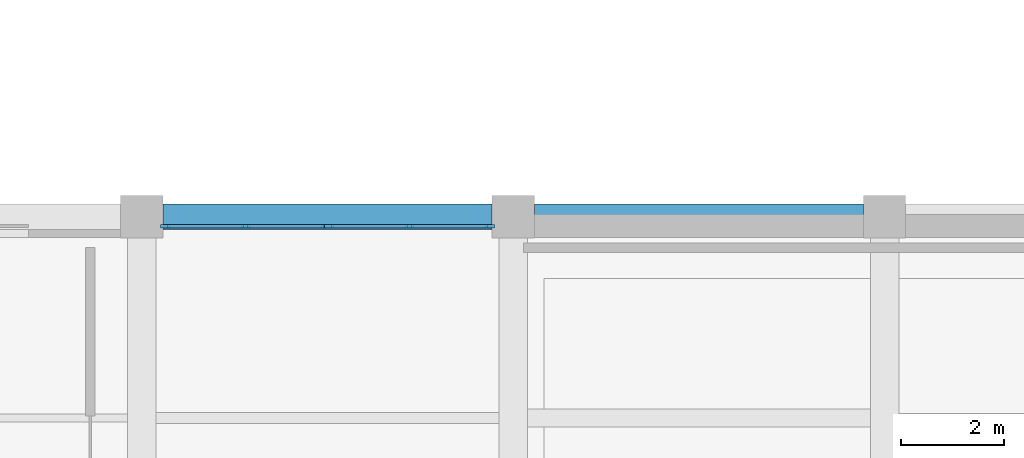
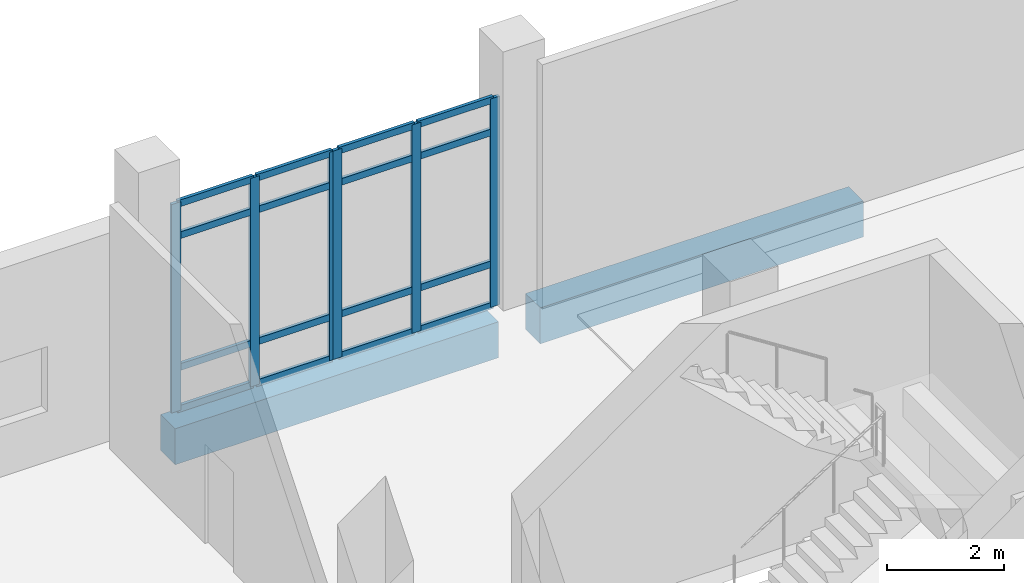
# One storey, part 21 of 79: 22 members, 2 beams, 2 elements without a shape of their own.
"""IFC4 building model written with IfcOpenShell, lengths in metres."""

from ifc_helpers import new_model, si_unit, direction, frame, origin, origin_2d, place, context, subcontext, project, spatial, rectangle, extrude, material, layer, layer_set, material_profile, profile_set, type_object, element, aggregate, save


model = new_model("IFC4")

# Units and contexts
model_context = context("Model", 3, precision=1e-05, world=origin(), true_north=direction((0.0, 1.0)))
body_context = subcontext(model_context, "Body", "Model", "MODEL_VIEW")
ifc_project = project(units=[si_unit("LENGTHUNIT", "METRE"), si_unit("AREAUNIT", "SQUARE_METRE"), si_unit("VOLUMEUNIT", "CUBIC_METRE"), si_unit("PLANEANGLEUNIT", "RADIAN"), si_unit("MASSUNIT", "GRAM", prefix="KILO")], contexts=[model_context])

# Site, building, storey
site_placement = place(None, origin())
site = spatial("IfcSite", under=ifc_project, at=site_placement, CompositionType="ELEMENT")
building_placement = place(site_placement, origin())
building = spatial("IfcBuilding", under=site, at=building_placement, Name="Kelarvand Opera House", CompositionType="ELEMENT")
storey_placement = place(building_placement, origin())
storey = spatial("IfcBuildingStorey", under=building, at=storey_placement, Name="L00", CompositionType="ELEMENT", Elevation=0.0)

# Curtain wall, members
ifc_material_1 = material(Name="Thermally broken aluminium and low-E glazing", Category="aluminium")
ifc_layer = layer(ifc_material_1, 0.179931640625, Name="Thermally broken aluminium and low-E glazing", Category="aluminium")
ifc_layer_set = layer_set([ifc_layer], Name="Thermally broken aluminium and low-E glazing")
curtain_wall_type = type_object("IfcCurtainWallType", Name="Unitised Low-E Curtain Wall 3176x4350 Mod 1350 CWF-09", PredefinedType="USERDEFINED", material=ifc_layer_set)
curtain_wall_1_placement = place(storey_placement, origin())
curtain_wall_1 = element("IfcCurtainWall", 1, at=curtain_wall_1_placement, inside=storey, type_object=curtain_wall_type, Name="V2 L00 Curtain Wall CWF-09 (27)", ObjectType="UNITISED CURTAIN WALL", PredefinedType="USERDEFINED")
ifc_material_2 = material(Name="Thermally broken anodised aluminium", Category="aluminium")
ifc_material_profile_1 = material_profile(ifc_material_2, rectangle(XDim=0.06494140625, YDim=0.179931640625, at=origin_2d()), Name="ALU MULLION 65x180", Category="aluminium")
ifc_profile_set_1 = profile_set([ifc_material_profile_1], Name="Thermally broken anodised aluminium")
member_type_1 = type_object("IfcMemberType", Name="Curtain Wall Mullion 65x180 Aluminium", PredefinedType="MULLION", material=ifc_profile_set_1)
member_1_placement = place(storey_placement, frame((59.652587890625, 86.02001953125, 0.0), z_axis=(0.0, 0.0, 1.0), x_axis=(0.0, 1.0, 0.0)))
member_1 = element("IfcMember", 2, at=member_1_placement, type_object=member_type_1, Name="CWF-09 mullion 1", PredefinedType="MULLION", context=body_context, shape_type="SweptSolid", body=[
    extrude(rectangle(XDim=0.06494140625, YDim=0.179931640625, at=origin_2d()), origin(), (0.0, 0.0, 1.0), 4.35009765625),
])
member_2_placement = place(storey_placement, frame((61.2080078125, 86.02001953125, 0.0), z_axis=(0.0, 0.0, 1.0), x_axis=(0.0, 1.0, 0.0)))
member_2 = element("IfcMember", 3, at=member_2_placement, type_object=member_type_1, Name="CWF-09 mullion 2", PredefinedType="MULLION", context=body_context, shape_type="SweptSolid", body=[
    extrude(rectangle(XDim=0.06494140625, YDim=0.179931640625, at=origin_2d()), origin(), (0.0, 0.0, 1.0), 4.35009765625),
])
member_3_placement = place(storey_placement, frame((62.763427734375, 86.02001953125, 0.0), z_axis=(0.0, 0.0, 1.0), x_axis=(0.0, 1.0, 0.0)))
member_3 = element("IfcMember", 4, at=member_3_placement, type_object=member_type_1, Name="CWF-09 mullion 3", PredefinedType="MULLION", context=body_context, shape_type="SweptSolid", body=[
    extrude(rectangle(XDim=0.06494140625, YDim=0.179931640625, at=origin_2d()), origin(), (0.0, 0.0, 1.0), 4.35009765625),
])

curtain_wall_2_placement = place(storey_placement, origin())
curtain_wall_2 = element("IfcCurtainWall", 5, at=curtain_wall_2_placement, inside=storey, type_object=curtain_wall_type, Name="V2 L00 Curtain Wall CWF-09 (28)", ObjectType="UNITISED CURTAIN WALL", PredefinedType="USERDEFINED")
member_4_placement = place(storey_placement, frame((62.83251953125, 86.02001953125, 0.0), z_axis=(0.0, 0.0, 1.0), x_axis=(0.0, 1.0, 0.0)))
member_4 = element("IfcMember", 6, at=member_4_placement, type_object=member_type_1, Name="CWF-09 mullion 1", PredefinedType="MULLION", context=body_context, shape_type="SweptSolid", body=[
    extrude(rectangle(XDim=0.06494140625, YDim=0.179931640625, at=origin_2d()), origin(), (0.0, 0.0, 1.0), 4.35009765625),
])
member_5_placement = place(storey_placement, frame((64.389892578125, 86.02001953125, 0.0), z_axis=(0.0, 0.0, 1.0), x_axis=(0.0, 1.0, 0.0)))
member_5 = element("IfcMember", 7, at=member_5_placement, type_object=member_type_1, Name="CWF-09 mullion 2", PredefinedType="MULLION", context=body_context, shape_type="SweptSolid", body=[
    extrude(rectangle(XDim=0.06494140625, YDim=0.179931640625, at=origin_2d()), origin(), (0.0, 0.0, 1.0), 4.35009765625),
])
member_6_placement = place(storey_placement, frame((65.947509765625, 86.02001953125, 0.0), z_axis=(0.0, 0.0, 1.0), x_axis=(0.0, 1.0, 0.0)))
member_6 = element("IfcMember", 8, at=member_6_placement, type_object=member_type_1, Name="CWF-09 mullion 3", PredefinedType="MULLION", context=body_context, shape_type="SweptSolid", body=[
    extrude(rectangle(XDim=0.06494140625, YDim=0.179931640625, at=origin_2d()), origin(), (0.0, 0.0, 1.0), 4.35009765625),
])

# Member
ifc_material_profile_2 = material_profile(ifc_material_2, rectangle(XDim=0.06494140625, YDim=0.139892578125, at=origin_2d()), Name="ALU TRANSOM 65x140", Category="aluminium")
ifc_profile_set_2 = profile_set([ifc_material_profile_2], Name="Thermally broken anodised aluminium")
member_type_2 = type_object("IfcMemberType", Name="Curtain Wall Transom 65x140 Aluminium", PredefinedType="USERDEFINED", material=ifc_profile_set_2)
member_7_placement = place(storey_placement, frame((59.68505859375, 86.02001953125, 0.032470703125), z_axis=(1.0, 0.0, 0.0), x_axis=(0.0, 1.0, 0.0)))
member_7 = element("IfcMember", 9, at=member_7_placement, type_object=member_type_2, Name="CWF-09 transom 1.1", ObjectType="TRANSOM", PredefinedType="USERDEFINED", context=body_context, shape_type="SweptSolid", body=[
    extrude(rectangle(XDim=0.06494140625, YDim=0.139892578125, at=origin_2d()), origin(), (0.0, 0.0, 1.0), 1.490478515625),
])

member_8_placement = place(storey_placement, frame((59.68505859375, 86.02001953125, 0.89990234375), z_axis=(1.0, 0.0, 0.0), x_axis=(0.0, 1.0, 0.0)))
member_8 = element("IfcMember", 10, at=member_8_placement, type_object=member_type_2, Name="CWF-09 transom 1.2", ObjectType="TRANSOM", PredefinedType="USERDEFINED", context=body_context, shape_type="SweptSolid", body=[
    extrude(rectangle(XDim=0.06494140625, YDim=0.139892578125, at=origin_2d()), origin(), (0.0, 0.0, 1.0), 1.490478515625),
])

member_9_placement = place(storey_placement, frame((59.68505859375, 86.02001953125, 3.64990234375), z_axis=(1.0, 0.0, 0.0), x_axis=(0.0, 1.0, 0.0)))
member_9 = element("IfcMember", 11, at=member_9_placement, type_object=member_type_2, Name="CWF-09 transom 1.3", ObjectType="TRANSOM", PredefinedType="USERDEFINED", context=body_context, shape_type="SweptSolid", body=[
    extrude(rectangle(XDim=0.06494140625, YDim=0.139892578125, at=origin_2d()), origin(), (0.0, 0.0, 1.0), 1.490478515625),
])

member_10_placement = place(storey_placement, frame((59.68505859375, 86.02001953125, 4.3173828125), z_axis=(1.0, 0.0, 0.0), x_axis=(0.0, 1.0, 0.0)))
member_10 = element("IfcMember", 12, at=member_10_placement, type_object=member_type_2, Name="CWF-09 transom 1.4", ObjectType="TRANSOM", PredefinedType="USERDEFINED", context=body_context, shape_type="SweptSolid", body=[
    extrude(rectangle(XDim=0.06494140625, YDim=0.139892578125, at=origin_2d()), origin(), (0.0, 0.0, 1.0), 1.490478515625),
])

member_11_placement = place(storey_placement, frame((61.240478515625, 86.02001953125, 0.032470703125), z_axis=(1.0, 0.0, 0.0), x_axis=(0.0, 1.0, 0.0)))
member_11 = element("IfcMember", 13, at=member_11_placement, type_object=member_type_2, Name="CWF-09 transom 2.1", ObjectType="TRANSOM", PredefinedType="USERDEFINED", context=body_context, shape_type="SweptSolid", body=[
    extrude(rectangle(XDim=0.06494140625, YDim=0.139892578125, at=origin_2d()), origin(), (0.0, 0.0, 1.0), 1.490478515625),
])

member_12_placement = place(storey_placement, frame((61.240478515625, 86.02001953125, 0.89990234375), z_axis=(1.0, 0.0, 0.0), x_axis=(0.0, 1.0, 0.0)))
member_12 = element("IfcMember", 14, at=member_12_placement, type_object=member_type_2, Name="CWF-09 transom 2.2", ObjectType="TRANSOM", PredefinedType="USERDEFINED", context=body_context, shape_type="SweptSolid", body=[
    extrude(rectangle(XDim=0.06494140625, YDim=0.139892578125, at=origin_2d()), origin(), (0.0, 0.0, 1.0), 1.490478515625),
])

member_13_placement = place(storey_placement, frame((61.240478515625, 86.02001953125, 3.64990234375), z_axis=(1.0, 0.0, 0.0), x_axis=(0.0, 1.0, 0.0)))
member_13 = element("IfcMember", 15, at=member_13_placement, type_object=member_type_2, Name="CWF-09 transom 2.3", ObjectType="TRANSOM", PredefinedType="USERDEFINED", context=body_context, shape_type="SweptSolid", body=[
    extrude(rectangle(XDim=0.06494140625, YDim=0.139892578125, at=origin_2d()), origin(), (0.0, 0.0, 1.0), 1.490478515625),
])

member_14_placement = place(storey_placement, frame((61.240478515625, 86.02001953125, 4.3173828125), z_axis=(1.0, 0.0, 0.0), x_axis=(0.0, 1.0, 0.0)))
member_14 = element("IfcMember", 16, at=member_14_placement, type_object=member_type_2, Name="CWF-09 transom 2.4", ObjectType="TRANSOM", PredefinedType="USERDEFINED", context=body_context, shape_type="SweptSolid", body=[
    extrude(rectangle(XDim=0.06494140625, YDim=0.139892578125, at=origin_2d()), origin(), (0.0, 0.0, 1.0), 1.490478515625),
])

aggregate(curtain_wall_1, [member_1, member_2, member_3, member_7, member_8, member_9, member_10, member_11, member_12, member_13, member_14])

member_15_placement = place(storey_placement, frame((62.864990234375, 86.02001953125, 0.032470703125), z_axis=(1.0, 0.0, 0.0), x_axis=(0.0, 1.0, 0.0)))
member_15 = element("IfcMember", 17, at=member_15_placement, type_object=member_type_2, Name="CWF-09 transom 1.1", ObjectType="TRANSOM", PredefinedType="USERDEFINED", context=body_context, shape_type="SweptSolid", body=[
    extrude(rectangle(XDim=0.06494140625, YDim=0.139892578125, at=origin_2d()), origin(), (0.0, 0.0, 1.0), 1.492431640625),
])

member_16_placement = place(storey_placement, frame((62.864990234375, 86.02001953125, 0.89990234375), z_axis=(1.0, 0.0, 0.0), x_axis=(0.0, 1.0, 0.0)))
member_16 = element("IfcMember", 18, at=member_16_placement, type_object=member_type_2, Name="CWF-09 transom 1.2", ObjectType="TRANSOM", PredefinedType="USERDEFINED", context=body_context, shape_type="SweptSolid", body=[
    extrude(rectangle(XDim=0.06494140625, YDim=0.139892578125, at=origin_2d()), origin(), (0.0, 0.0, 1.0), 1.492431640625),
])

member_17_placement = place(storey_placement, frame((62.864990234375, 86.02001953125, 3.64990234375), z_axis=(1.0, 0.0, 0.0), x_axis=(0.0, 1.0, 0.0)))
member_17 = element("IfcMember", 19, at=member_17_placement, type_object=member_type_2, Name="CWF-09 transom 1.3", ObjectType="TRANSOM", PredefinedType="USERDEFINED", context=body_context, shape_type="SweptSolid", body=[
    extrude(rectangle(XDim=0.06494140625, YDim=0.139892578125, at=origin_2d()), origin(), (0.0, 0.0, 1.0), 1.492431640625),
])

member_18_placement = place(storey_placement, frame((62.864990234375, 86.02001953125, 4.3173828125), z_axis=(1.0, 0.0, 0.0), x_axis=(0.0, 1.0, 0.0)))
member_18 = element("IfcMember", 20, at=member_18_placement, type_object=member_type_2, Name="CWF-09 transom 1.4", ObjectType="TRANSOM", PredefinedType="USERDEFINED", context=body_context, shape_type="SweptSolid", body=[
    extrude(rectangle(XDim=0.06494140625, YDim=0.139892578125, at=origin_2d()), origin(), (0.0, 0.0, 1.0), 1.492431640625),
])

member_19_placement = place(storey_placement, frame((64.422607421875, 86.02001953125, 0.032470703125), z_axis=(1.0, 0.0, 0.0), x_axis=(0.0, 1.0, 0.0)))
member_19 = element("IfcMember", 21, at=member_19_placement, type_object=member_type_2, Name="CWF-09 transom 2.1", ObjectType="TRANSOM", PredefinedType="USERDEFINED", context=body_context, shape_type="SweptSolid", body=[
    extrude(rectangle(XDim=0.06494140625, YDim=0.139892578125, at=origin_2d()), origin(), (0.0, 0.0, 1.0), 1.492431640625),
])

member_20_placement = place(storey_placement, frame((64.422607421875, 86.02001953125, 0.89990234375), z_axis=(1.0, 0.0, 0.0), x_axis=(0.0, 1.0, 0.0)))
member_20 = element("IfcMember", 22, at=member_20_placement, type_object=member_type_2, Name="CWF-09 transom 2.2", ObjectType="TRANSOM", PredefinedType="USERDEFINED", context=body_context, shape_type="SweptSolid", body=[
    extrude(rectangle(XDim=0.06494140625, YDim=0.139892578125, at=origin_2d()), origin(), (0.0, 0.0, 1.0), 1.492431640625),
])

member_21_placement = place(storey_placement, frame((64.422607421875, 86.02001953125, 3.64990234375), z_axis=(1.0, 0.0, 0.0), x_axis=(0.0, 1.0, 0.0)))
member_21 = element("IfcMember", 23, at=member_21_placement, type_object=member_type_2, Name="CWF-09 transom 2.3", ObjectType="TRANSOM", PredefinedType="USERDEFINED", context=body_context, shape_type="SweptSolid", body=[
    extrude(rectangle(XDim=0.06494140625, YDim=0.139892578125, at=origin_2d()), origin(), (0.0, 0.0, 1.0), 1.492431640625),
])

member_22_placement = place(storey_placement, frame((64.422607421875, 86.02001953125, 4.3173828125), z_axis=(1.0, 0.0, 0.0), x_axis=(0.0, 1.0, 0.0)))
member_22 = element("IfcMember", 24, at=member_22_placement, type_object=member_type_2, Name="CWF-09 transom 2.4", ObjectType="TRANSOM", PredefinedType="USERDEFINED", context=body_context, shape_type="SweptSolid", body=[
    extrude(rectangle(XDim=0.06494140625, YDim=0.139892578125, at=origin_2d()), origin(), (0.0, 0.0, 1.0), 1.492431640625),
])

aggregate(curtain_wall_2, [member_4, member_5, member_6, member_15, member_16, member_17, member_18, member_19, member_20, member_21, member_22])

# Beams
ifc_material_3 = material(Name="Concrete C40/50", Category="concrete")
ifc_material_profile_3 = material_profile(ifc_material_3, rectangle(XDim=0.5, YDim=0.75, at=origin_2d()), Name="RC 500x750", Category="concrete")
ifc_profile_set_3 = profile_set([ifc_material_profile_3], Name="Concrete C40/50")
beam_type = type_object("IfcBeamType", Name="Structural Spandrel RC 500x750 SP-RC500x750E", PredefinedType="SPANDREL", material=ifc_profile_set_3)
for number, where, z_axis, x_axis, name in (
    (25, (59.610107421875, 86.199951171875, -0.695068359375), (1.0, 0.0, 0.0), (0.0, 1.0, 0.0), "V2 L00 Beam SP-RC500x750E"),
    (26, (66.81005859375, 86.199951171875, -0.695068359375), (1.0, 0.0, 0.0), (0.0, 1.0, 0.0), "V2 L00 Beam SP-RC500x750E"),
):
    element("IfcBeam", number, at=place(storey_placement, frame(where, z_axis=z_axis, x_axis=x_axis)), inside=storey, type_object=beam_type, Name=name, PredefinedType="SPANDREL", context=body_context, shape_type="SweptSolid", body=[
        extrude(rectangle(XDim=0.5, YDim=0.75, at=origin_2d()), origin(), (0.0, 0.0, 1.0), 6.3798828125),
    ])

save(model, "model.ifc")
